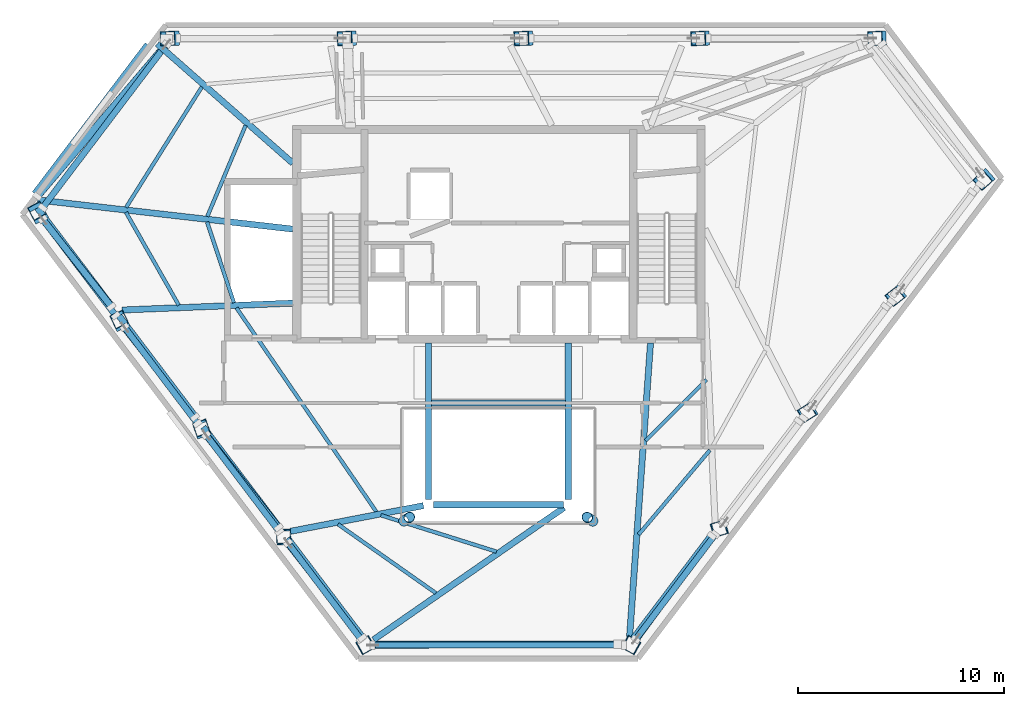
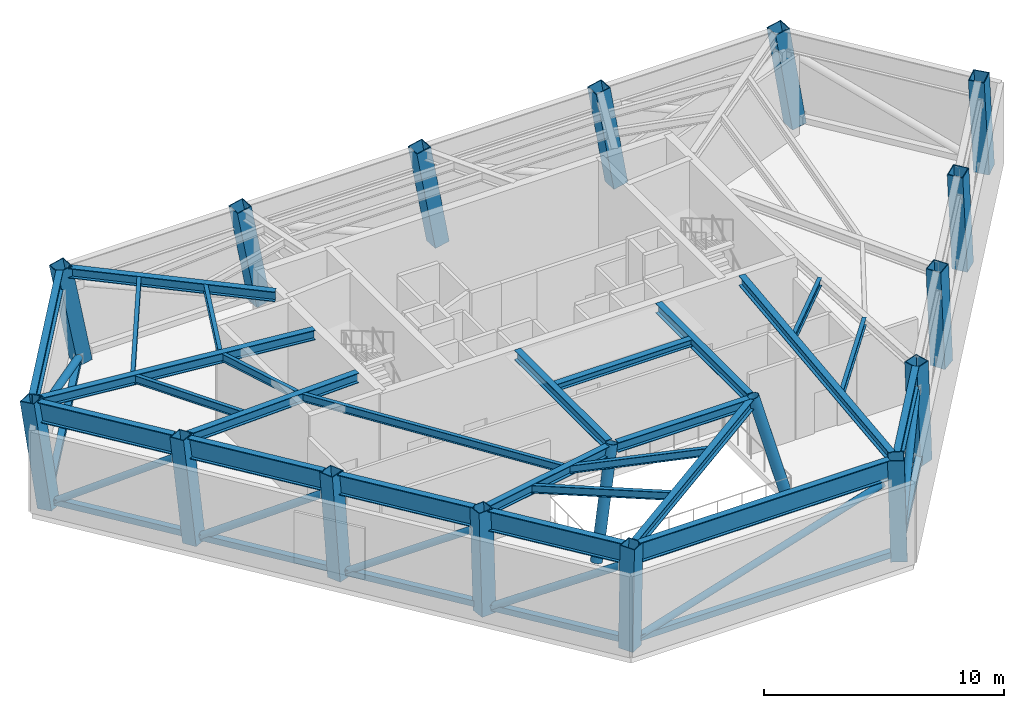
# One storey, part 1 of 10: 26 beams, 17 columns, 14 members.
"""IFC4 building model written with IfcOpenShell, lengths in metres."""

import ifcopenshell
import ifcopenshell.guid

model = None  # the IFC model being written
_history = None  # IfcOwnerHistory: only IFC2X3 demands one
_inside = {}  # id of a spatial element -> (the spatial element, [elements in it])
_under = {}  # id of a project, library or spatial element -> (it, [spatial elements below it])
_declared = {}  # id of a project -> (the project, [libraries it declares])
_typed = {}  # id of a type object -> (the type object, [elements of that type])
_made_of = {}  # id of a material, layer set ... -> (it, [elements and type objects made of it])


def new_model(schema):
    """Start an empty IFC model of exactly this schema.

    Asked for "IFC4X3", IfcOpenShell would pick the latest addendum, in which some entities
    have other attributes; the version numbers below select the first issue.
    IFC2X3 requires an IfcOwnerHistory on every rooted entity: one is made here for all.
    """
    global model, _history
    if schema == "IFC4X3":
        model = ifcopenshell.file(schema_version=(4, 3, 0, 0))
    else:
        model = ifcopenshell.file(schema=schema)
    _inside.clear()
    _under.clear()
    _declared.clear()
    _typed.clear()
    _made_of.clear()
    _history = None
    if model.schema == "IFC2X3":
        org = make("IfcOrganization", Name="unknown")
        user = make(
            "IfcPersonAndOrganization",
            ThePerson=make("IfcPerson", FamilyName="unknown"),
            TheOrganization=org,
        )
        app = make(
            "IfcApplication",
            ApplicationDeveloper=org,
            Version="unknown",
            ApplicationFullName="unknown",
            ApplicationIdentifier="unknown",
        )
        _history = make(
            "IfcOwnerHistory",
            OwningUser=user,
            OwningApplication=app,
            ChangeAction="ADDED",
            CreationDate=0,
        )
    return model


def make(cls, **values):
    """One entity of the class cls with the attributes given. An attribute that is None is left unset."""
    return model.create_entity(
        cls, **{name: value for name, value in values.items() if value is not None}
    )


def rooted(cls, **values):
    """An entity with a GlobalId (a new one), such as an element, a storey or a relation."""
    return make(cls, GlobalId=ifcopenshell.guid.new(), OwnerHistory=_history, **values)


def si_unit(unit_type, name, prefix=None):
    """IfcSIUnit, for example si_unit("LENGTHUNIT", "METRE", prefix="MILLI")."""
    return make("IfcSIUnit", UnitType=unit_type, Prefix=prefix, Name=name)


def assignment(units):
    """IfcUnitAssignment: the units of a project."""
    return None if units is None else make("IfcUnitAssignment", Units=units)


def point(xyz):
    """IfcCartesianPoint."""
    return None if xyz is None else make("IfcCartesianPoint", Coordinates=xyz)


def direction(xyz):
    """IfcDirection."""
    return None if xyz is None else make("IfcDirection", DirectionRatios=xyz)


def frame(location, z_axis=None, x_axis=None):
    """IfcAxis2Placement3D, a coordinate frame: its origin and axes. An axis left out is left unset."""
    return make(
        "IfcAxis2Placement3D",
        Location=point(location),
        Axis=direction(z_axis),
        RefDirection=direction(x_axis),
    )


def frame_2d(location, x_axis=None):
    """IfcAxis2Placement2D, a coordinate frame in the plane: its origin and x axis."""
    return make(
        "IfcAxis2Placement2D", Location=point(location), RefDirection=direction(x_axis)
    )


def origin():
    """The frame at (0, 0, 0) with its axes left unset."""
    return frame((0.0, 0.0, 0.0))


def origin_2d():
    """The frame at (0, 0) in the plane with its x axis left unset."""
    return frame_2d((0.0, 0.0))


def place(relative_to, where):
    """IfcLocalPlacement: puts the frame where relative to a parent placement (None: the world)."""
    return make(
        "IfcLocalPlacement", PlacementRelTo=relative_to, RelativePlacement=where
    )


def context(
    kind, dimensions, precision=None, world=None, true_north=None, identifier=None
):
    """IfcGeometricRepresentationContext, for example the 3D "Model" context."""
    return make(
        "IfcGeometricRepresentationContext",
        ContextIdentifier=identifier,
        ContextType=kind,
        CoordinateSpaceDimension=dimensions,
        Precision=precision,
        WorldCoordinateSystem=world,
        TrueNorth=true_north,
    )


def subcontext(parent, identifier, kind, view, scale=None):
    """IfcGeometricRepresentationSubContext, for example "Body" below "Model"."""
    return make(
        "IfcGeometricRepresentationSubContext",
        ContextIdentifier=identifier,
        ContextType=kind,
        ParentContext=parent,
        TargetScale=scale,
        TargetView=view,
    )


def project(units=None, contexts=None):
    """IfcProject with its units and contexts."""
    return rooted(
        "IfcProject",
        Name="project",
        RepresentationContexts=contexts,
        UnitsInContext=assignment(units),
    )


def spatial(cls, under=None, at=None, **own):
    """A site, building, storey or space (cls), placed at a placement, below another one or the project."""
    s = rooted(cls, ObjectPlacement=at, **own)
    if under is not None:
        _under.setdefault(under.id(), (under, []))[1].append(s)
    return s


def profile(cls, at=None, kind="AREA", **sizes):
    """A parametric profile (cls). Its sizes go by their IFC names, for example OverallWidth=200.0."""
    return make(cls, ProfileType=kind, Position=at, **sizes)


def hollow_rectangle(**sizes):
    """IfcRectangleHollowProfileDef."""
    return profile("IfcRectangleHollowProfileDef", **sizes)


def hollow_circle(**sizes):
    """IfcCircleHollowProfileDef."""
    return profile("IfcCircleHollowProfileDef", **sizes)


def i_section(**sizes):
    """IfcIShapeProfileDef."""
    return profile("IfcIShapeProfileDef", **sizes)


def extrude(swept, where, along, depth):
    """IfcExtrudedAreaSolid: the profile swept, set in the frame where, extruded along a direction by depth."""
    return make(
        "IfcExtrudedAreaSolid",
        SweptArea=swept,
        Position=where,
        ExtrudedDirection=direction(along),
        Depth=depth,
    )


def shape(context_of_items, identifier, shape_type, items):
    """IfcShapeRepresentation: the items that make up one representation, for example the "Body"."""
    return make(
        "IfcShapeRepresentation",
        ContextOfItems=context_of_items,
        RepresentationIdentifier=identifier,
        RepresentationType=shape_type,
        Items=items,
    )


def material(Name=None, Category=None):
    """IfcMaterial."""
    return make("IfcMaterial", Name=Name, Category=Category)


def material_profile(
    of_material, cross_section, Name=None, Category=None, Priority=None
):
    """IfcMaterialProfile: a cross section and its material."""
    return make(
        "IfcMaterialProfile",
        Name=Name,
        Material=of_material,
        Profile=cross_section,
        Priority=Priority,
        Category=Category,
    )


def profile_set(profiles, Name=None, composite=None):
    """IfcMaterialProfileSet."""
    return make(
        "IfcMaterialProfileSet",
        Name=Name,
        MaterialProfiles=profiles,
        CompositeProfile=composite,
    )


def made_of(thing, what):
    """Note that an element or type object is made of a material, layer set ...; save() writes the relation."""
    if what is not None:
        _made_of.setdefault(what.id(), (what, []))[1].append(thing)
    return thing


def type_object(cls, material=None, **own):
    """A type object (cls), such as IfcWallType, which elements share."""
    return made_of(rooted(cls, **own), material)


def element(
    cls,
    number,
    at=None,
    inside=None,
    cuts=None,
    type_object=None,
    material=None,
    context=None,
    identifier="Body",
    shape_type=None,
    held_by="IfcProductDefinitionShape",
    body=None,
    shapes=None,
    **own,
):
    """One element of the class cls, such as IfcWall. Its Tag is "e" and its number.

    at: its placement. inside: the storey or other place that contains it. cuts: it is an
    opening in that element (IfcRelVoidsElement). A single representation is given by context,
    identifier, shape_type and body (its items); several are given by shapes. held_by: the class
    of the entity that holds the representations. save() writes the other relations.
    """
    e = rooted(cls, Tag="e%d" % number, ObjectPlacement=at, **own)
    if body is not None:
        shapes = [shape(context, identifier, shape_type, body)]
    if shapes is not None:
        e.Representation = make(held_by, Representations=shapes)
    if inside is not None:
        _inside.setdefault(inside.id(), (inside, []))[1].append(e)
    if cuts is not None:
        rooted(
            "IfcRelVoidsElement", RelatingBuildingElement=cuts, RelatedOpeningElement=e
        )
    if type_object is not None:
        _typed.setdefault(type_object.id(), (type_object, []))[1].append(e)
    return made_of(e, material)


def aggregate(whole, parts):
    """IfcRelAggregates: a whole, such as a stair, and the parts it consists of."""
    return rooted("IfcRelAggregates", RelatingObject=whole, RelatedObjects=parts)


def save(model, path):
    """Write the relations noted so far, then the file.

    IfcRelAggregates (storeys below a building ...), IfcRelContainedInSpatialStructure (elements
    in a storey), IfcRelDefinesByType, IfcRelAssociatesMaterial and IfcRelDeclares: one each for
    every whole, place, type object, material and project.
    """
    for whole, parts in _under.values():
        aggregate(whole, parts)
    for where, things in _inside.values():
        rooted(
            "IfcRelContainedInSpatialStructure",
            RelatedElements=things,
            RelatingStructure=where,
        )
    for kind, things in _typed.values():
        rooted("IfcRelDefinesByType", RelatedObjects=things, RelatingType=kind)
    for what, things in _made_of.values():
        rooted("IfcRelAssociatesMaterial", RelatedObjects=things, RelatingMaterial=what)
    for by, libraries in _declared.values():
        rooted("IfcRelDeclares", RelatingContext=by, RelatedDefinitions=libraries)
    model.write(path)


model = new_model("IFC4")

# Units and contexts
model_context = context("Model", 3, precision=1e-05, world=origin(), true_north=direction((0.0, 1.0)))
body_context = subcontext(model_context, "Body", "Model", "MODEL_VIEW")
ifc_project = project(units=[si_unit("LENGTHUNIT", "METRE"), si_unit("AREAUNIT", "SQUARE_METRE"), si_unit("VOLUMEUNIT", "CUBIC_METRE"), si_unit("PLANEANGLEUNIT", "RADIAN"), si_unit("MASSUNIT", "GRAM", prefix="KILO")], contexts=[model_context])

# Site, building, storey
site_placement = place(None, origin())
site = spatial("IfcSite", under=ifc_project, at=site_placement, CompositionType="ELEMENT")
building_placement = place(site_placement, origin())
building = spatial("IfcBuilding", under=site, at=building_placement, Name="Zarrinselat Tower", CompositionType="ELEMENT")
storey_placement = place(building_placement, frame((0.0, 0.0, 194.47998046875)))
storey = spatial("IfcBuildingStorey", under=building, at=storey_placement, Name="L48", CompositionType="ELEMENT", Elevation=194.47998046875)

# Columns
ifc_material_1 = material(Name="Steel S355J2", Category="steel")
ifc_material_profile_1 = material_profile(ifc_material_1, hollow_circle(Radius=0.25390625, WallThickness=0.02001953125, at=origin_2d()), Name="CHS 508x20")
ifc_profile_set_1 = profile_set([ifc_material_profile_1], Name="Steel S355J2")
column_type_1 = type_object("IfcColumnType", Name="COL-CHS508", PredefinedType="COLUMN", material=ifc_profile_set_1)
for number, where, z_axis, x_axis, name in (
    (1, (33.800048828125, 24.39990234375, 0.0), (0.224767637552, 0.149860335352, 0.962819499697), (-0.554739260842, 0.832024249935, 0.0), "L48 Atrium Corner Column 1"),
    (2, (43.0, 24.39990234375, 0.0), (-0.224767637552, 0.149860335352, 0.962819499697), (-0.554739260842, -0.832024249935, 0.0), "L48 Atrium Corner Column 2"),
):
    element("IfcColumn", number, at=place(storey_placement, frame(where, z_axis=z_axis, x_axis=x_axis)), inside=storey, type_object=column_type_1, Name=name, PredefinedType="COLUMN", context=body_context, shape_type="SweptSolid", body=[
        extrude(hollow_circle(Radius=0.25390625, WallThickness=0.02001953125, at=origin_2d()), origin(), (0.0, 0.0, 1.0), 5.338623046875),
    ])
ifc_material_2 = material(Name="Steel S355J2", Category="steel")
ifc_material_profile_2 = material_profile(ifc_material_2, hollow_rectangle(XDim=0.699951171875, YDim=0.699951171875, WallThickness=0.034912109375, at=origin_2d()), Name="SHS 700x700x35")
ifc_profile_set_2 = profile_set([ifc_material_profile_2], Name="Steel S355J2")
column_type_2 = type_object("IfcColumnType", Name="COL-SHS700", PredefinedType="COLUMN", material=ifc_profile_set_2)
column_1_placement = place(storey_placement, frame((56.90771484375, 47.8779296875, 0.0), z_axis=(-0.159054048165, -0.007455658508, 0.987241724665), x_axis=(0.046823586299, -0.99890317437, 0.0)))
element("IfcColumn", 3, at=column_1_placement, inside=storey, type_object=column_type_2, Name="L48 Framed-Tube Column T01", PredefinedType="COLUMN", context=body_context, shape_type="SweptSolid", body=[
    extrude(hollow_rectangle(XDim=0.699951171875, YDim=0.699951171875, WallThickness=0.034912109375, at=origin_2d()), origin(), (0.0, 0.0, 1.0), 5.20654296875),
])
column_2_placement = place(storey_placement, frame((48.318603515625, 47.8779296875, 0.0), z_axis=(-0.166990951715, -0.007445754718, 0.98593031335), x_axis=(0.044543517595, -0.999007444937, 0.0)))
element("IfcColumn", 4, at=column_2_placement, inside=storey, type_object=column_type_2, Name="L48 Framed-Tube Column T02", PredefinedType="COLUMN", context=body_context, shape_type="SweptSolid", body=[
    extrude(hollow_rectangle(XDim=0.699951171875, YDim=0.699951171875, WallThickness=0.034912109375, at=origin_2d()), origin(), (0.0, 0.0, 1.0), 5.21337890625),
])
column_3_placement = place(storey_placement, frame((39.729248046875, 47.8779296875, 0.0), z_axis=(-0.174895524245, -0.007435397956, 0.98455892178), x_axis=(0.042475001939, -0.999097529879, 0.0)))
element("IfcColumn", 5, at=column_3_placement, inside=storey, type_object=column_type_2, Name="L48 Framed-Tube Column T03", PredefinedType="COLUMN", context=body_context, shape_type="SweptSolid", body=[
    extrude(hollow_rectangle(XDim=0.699951171875, YDim=0.699951171875, WallThickness=0.034912109375, at=origin_2d()), origin(), (0.0, 0.0, 1.0), 5.220703125),
])
column_4_placement = place(storey_placement, frame((31.139892578125, 47.8779296875, 0.0), z_axis=(-0.182721286998, -0.007424657458, 0.983136717725), x_axis=(0.040600280991, -0.999175468666, 0.0)))
element("IfcColumn", 6, at=column_4_placement, inside=storey, type_object=column_type_2, Name="L48 Framed-Tube Column T04", PredefinedType="COLUMN", context=body_context, shape_type="SweptSolid", body=[
    extrude(hollow_rectangle(XDim=0.699951171875, YDim=0.699951171875, WallThickness=0.034912109375, at=origin_2d()), origin(), (0.0, 0.0, 1.0), 5.228271484375),
])
column_5_placement = place(storey_placement, frame((22.550537109375, 47.8779296875, 0.0), z_axis=(-0.190512473243, -0.007413480971, 0.981656782098), x_axis=(0.038883933844, -0.999243733875, 0.0)))
element("IfcColumn", 7, at=column_5_placement, inside=storey, type_object=column_type_2, Name="L48 Framed-Tube Column T05", PredefinedType="COLUMN", context=body_context, shape_type="SweptSolid", body=[
    extrude(hollow_rectangle(XDim=0.699951171875, YDim=0.699951171875, WallThickness=0.034912109375, at=origin_2d()), origin(), (0.0, 0.0, 1.0), 5.236083984375),
])
column_6_placement = place(storey_placement, frame((16.059814453125, 39.31005859375, 0.0), z_axis=(-0.077088391313, 0.143539053247, 0.986637684319), x_axis=(-0.880987768802, -0.473139040052, 0.0)))
element("IfcColumn", 8, at=column_6_placement, inside=storey, type_object=column_type_2, Name="L48 Framed-Tube Column T06", PredefinedType="COLUMN", context=body_context, shape_type="SweptSolid", body=[
    extrude(hollow_rectangle(XDim=0.699951171875, YDim=0.699951171875, WallThickness=0.034912109375, at=origin_2d()), origin(), (0.0, 0.0, 1.0), 5.209716796875),
])
column_7_placement = place(storey_placement, frame((20.026611328125, 34.073974609375, 0.0), z_axis=(-0.052602615621, 0.111427045992, 0.992379452756), x_axis=(-0.904297874715, -0.426902042378, 0.0)))
element("IfcColumn", 9, at=column_7_placement, inside=storey, type_object=column_type_2, Name="L48 Framed-Tube Column T07", PredefinedType="COLUMN", context=body_context, shape_type="SweptSolid", body=[
    extrude(hollow_rectangle(XDim=0.699951171875, YDim=0.699951171875, WallThickness=0.034912109375, at=origin_2d()), origin(), (0.0, 0.0, 1.0), 5.1796875),
])
column_8_placement = place(storey_placement, frame((23.9931640625, 28.837890625, 0.0), z_axis=(-0.027688593271, 0.078805996232, 0.996505372168), x_axis=(-0.943460139651, -0.331485995013, 0.0)))
element("IfcColumn", 10, at=column_8_placement, inside=storey, type_object=column_type_2, Name="L48 Framed-Tube Column T08", PredefinedType="COLUMN", context=body_context, shape_type="SweptSolid", body=[
    extrude(hollow_rectangle(XDim=0.699951171875, YDim=0.699951171875, WallThickness=0.034912109375, at=origin_2d()), origin(), (0.0, 0.0, 1.0), 5.158203125),
])
column_9_placement = place(storey_placement, frame((27.9599609375, 23.601806640625, 0.0), z_axis=(-0.00265702824, 0.045786290203, 0.998947724273), x_axis=(-0.9983204373, -0.057933621232, 0.0)))
element("IfcColumn", 11, at=column_9_placement, inside=storey, type_object=column_type_2, Name="L48 Framed-Tube Column T09", PredefinedType="COLUMN", context=body_context, shape_type="SweptSolid", body=[
    extrude(hollow_rectangle(XDim=0.699951171875, YDim=0.699951171875, WallThickness=0.034912109375, at=origin_2d()), origin(), (0.0, 0.0, 1.0), 5.1455078125),
])
for number, where, z_axis, x_axis, name in (
    (12, (31.9267578125, 18.36572265625, 0.0), (0.022506037937, 0.012629970657, 0.99966692558), (-0.489387496628, 0.872066441359, 0.0), "L48 Framed-Tube Column T10"),
    (13, (44.873291015625, 18.36572265625, 0.0), (-0.022506037937, 0.012629970657, 0.99966692558), (-0.489387496628, -0.872066441359, 0.0), "L48 Framed-Tube Column T11"),
):
    element("IfcColumn", number, at=place(storey_placement, frame(where, z_axis=z_axis, x_axis=x_axis)), inside=storey, type_object=column_type_2, Name=name, PredefinedType="COLUMN", context=body_context, shape_type="SweptSolid", body=[
        extrude(hollow_rectangle(XDim=0.699951171875, YDim=0.699951171875, WallThickness=0.034912109375, at=origin_2d()), origin(), (0.0, 0.0, 1.0), 5.141845703125),
    ])
column_10_placement = place(storey_placement, frame((49.17236328125, 24.040283203125, 0.0), z_axis=(-0.041710074727, -0.012717064877, 0.999048820592), x_axis=(0.291637903026, -0.956528793879, 0.0)))
element("IfcColumn", 14, at=column_10_placement, inside=storey, type_object=column_type_2, Name="L48 Framed-Tube Column T12", PredefinedType="COLUMN", context=body_context, shape_type="SweptSolid", body=[
    extrude(hollow_rectangle(XDim=0.699951171875, YDim=0.699951171875, WallThickness=0.034912109375, at=origin_2d()), origin(), (0.0, 0.0, 1.0), 5.14501953125),
])
column_11_placement = place(storey_placement, frame((53.47119140625, 29.715087890625, 0.0), z_axis=(-0.060828875913, -0.038041734702, 0.997423016717), x_axis=(0.530236337379, -0.847849884427, 0.0)))
element("IfcColumn", 15, at=column_11_placement, inside=storey, type_object=column_type_2, Name="L48 Framed-Tube Column T13", PredefinedType="COLUMN", context=body_context, shape_type="SweptSolid", body=[
    extrude(hollow_rectangle(XDim=0.699951171875, YDim=0.699951171875, WallThickness=0.034912109375, at=origin_2d()), origin(), (0.0, 0.0, 1.0), 5.1533203125),
])
column_12_placement = place(storey_placement, frame((57.770263671875, 35.389892578125, 0.0), z_axis=(-0.079805420227, -0.063220634851, 0.994803621943), x_axis=(0.620952540873, -0.783848162582, 0.0)))
element("IfcColumn", 16, at=column_12_placement, inside=storey, type_object=column_type_2, Name="L48 Framed-Tube Column T14", PredefinedType="COLUMN", context=body_context, shape_type="SweptSolid", body=[
    extrude(hollow_rectangle(XDim=0.699951171875, YDim=0.699951171875, WallThickness=0.034912109375, at=origin_2d()), origin(), (0.0, 0.0, 1.0), 5.1669921875),
])
column_13_placement = place(storey_placement, frame((62.0693359375, 41.064453125, 0.0), z_axis=(-0.098585108306, -0.088133391953, 0.991218180646), x_axis=(0.666482592641, -0.745520592409, 0.0)))
element("IfcColumn", 17, at=column_13_placement, inside=storey, type_object=column_type_2, Name="L48 Framed-Tube Column T15", PredefinedType="COLUMN", context=body_context, shape_type="SweptSolid", body=[
    extrude(hollow_rectangle(XDim=0.699951171875, YDim=0.699951171875, WallThickness=0.034912109375, at=origin_2d()), origin(), (0.0, 0.0, 1.0), 5.185791015625),
])

# Beams
ifc_material_3 = material(Name="Steel S355J2", Category="steel")
ifc_material_profile_3 = material_profile(ifc_material_3, i_section(OverallWidth=0.300048828125, OverallDepth=0.35009765625, WebThickness=0.010009765625, FlangeThickness=0.017578125, at=origin_2d()), Name="HEA 360")
ifc_profile_set_3 = profile_set([ifc_material_profile_3], Name="Steel S355J2")
beam_type_1 = type_object("IfcBeamType", Name="BM-HEA360", PredefinedType="LINTEL", material=ifc_profile_set_3)
beam_1_placement = place(storey_placement, frame((35.139892578125, 30.14990234375, 4.965087890625), z_axis=(1.0, 0.0, 0.0), x_axis=(0.0, 1.0, 0.0)))
element("IfcBeam", 18, at=beam_1_placement, inside=storey, type_object=beam_type_1, Name="L48 Lift Lobby Ceiling Beam", PredefinedType="LINTEL", context=body_context, shape_type="SweptSolid", body=[
    extrude(i_section(OverallWidth=0.300048828125, OverallDepth=0.35009765625, WebThickness=0.010009765625, FlangeThickness=0.017578125, at=origin_2d()), origin(), (0.0, 0.0, 1.0), 6.52001953125),
])
ifc_material_4 = material(Name="Steel S355J2", Category="steel")
ifc_material_profile_4 = material_profile(ifc_material_4, i_section(OverallWidth=0.300048828125, OverallDepth=0.5, WebThickness=0.014404296875, FlangeThickness=0.028076171875, at=origin_2d()), Name="HEB 500")
ifc_profile_set_4 = profile_set([ifc_material_profile_4], Name="Steel S355J2")
beam_type_2 = type_object("IfcBeamType", Name="BM-HEB500", PredefinedType="BEAM", material=ifc_profile_set_4)
beam_2_placement = place(storey_placement, frame((35.239990234375, 25.199951171875, 4.89013671875), z_axis=(1.0, 0.0, 0.0), x_axis=(0.0, 1.0, 0.0)))
element("IfcBeam", 19, at=beam_2_placement, inside=storey, type_object=beam_type_2, Name="L48 Atrium Edge Beam S", PredefinedType="BEAM", context=body_context, shape_type="SweptSolid", body=[
    extrude(i_section(OverallWidth=0.300048828125, OverallDepth=0.5, WebThickness=0.014404296875, FlangeThickness=0.028076171875, at=origin_2d()), origin(), (0.0, 0.0, 1.0), 6.320068359375),
])
for number, where, z_axis, x_axis, name in (
    (20, (35.0, 25.43994140625, 4.89013671875), (0.0, 1.0, 0.0), (-1.0, 0.0, 0.0), "L48 Atrium Edge Beam W"),
    (21, (41.800048828125, 25.43994140625, 4.89013671875), (0.0, 1.0, 0.0), (-1.0, 0.0, 0.0), "L48 Atrium Edge Beam E"),
):
    element("IfcBeam", number, at=place(storey_placement, frame(where, z_axis=z_axis, x_axis=x_axis)), inside=storey, type_object=beam_type_2, Name=name, PredefinedType="BEAM", context=body_context, shape_type="SweptSolid", body=[
        extrude(i_section(OverallWidth=0.300048828125, OverallDepth=0.5, WebThickness=0.014404296875, FlangeThickness=0.028076171875, at=origin_2d()), origin(), (0.0, 0.0, 1.0), 7.6201171875),
    ])
beam_3_placement = place(storey_placement, frame((21.817138671875, 47.6064453125, 4.89013671875), z_axis=(0.750444975601, -0.660932930482, 0.0), x_axis=(0.660932930482, 0.750444975601, 0.0)))
element("IfcBeam", 22, at=beam_3_placement, inside=storey, type_object=beam_type_2, Name="L48 Radial Primary Girder RG05", PredefinedType="BEAM", context=body_context, shape_type="SweptSolid", body=[
    extrude(i_section(OverallWidth=0.300048828125, OverallDepth=0.5, WebThickness=0.014404296875, FlangeThickness=0.028076171875, at=origin_2d()), origin(), (0.0, 0.0, 1.0), 8.78515625),
])
beam_4_placement = place(storey_placement, frame((16.0078125, 40.017822265625, 4.89013671875), z_axis=(0.993529583346, -0.113573619372, 0.0), x_axis=(0.113573619372, 0.993529583346, 0.0)))
element("IfcBeam", 23, at=beam_4_placement, inside=storey, type_object=beam_type_2, Name="L48 Radial Primary Girder RG06", PredefinedType="BEAM", context=body_context, shape_type="SweptSolid", body=[
    extrude(i_section(OverallWidth=0.300048828125, OverallDepth=0.5, WebThickness=0.014404296875, FlangeThickness=0.028076171875, at=origin_2d()), origin(), (0.0, 0.0, 1.0), 12.48291015625),
])
beam_5_placement = place(storey_placement, frame((20.10595703125, 34.665283203125, 4.89013671875), z_axis=(0.999188616417, 0.04027541214, 0.0), x_axis=(-0.04027541214, 0.999188616417, 0.0)))
element("IfcBeam", 24, at=beam_5_placement, inside=storey, type_object=beam_type_2, Name="L48 Radial Primary Girder RG07", PredefinedType="BEAM", context=body_context, shape_type="SweptSolid", body=[
    extrude(i_section(OverallWidth=0.300048828125, OverallDepth=0.5, WebThickness=0.014404296875, FlangeThickness=0.028076171875, at=origin_2d()), origin(), (0.0, 0.0, 1.0), 8.310791015625),
])
beam_6_placement = place(storey_placement, frame((28.2919921875, 23.904296875, 4.89013671875), z_axis=(0.981850545606, 0.189656284083, 0.0), x_axis=(-0.189656284083, 0.981850545606, 0.0)))
element("IfcBeam", 25, at=beam_6_placement, inside=storey, type_object=beam_type_2, Name="L48 Radial Primary Girder RG09", PredefinedType="BEAM", context=body_context, shape_type="SweptSolid", body=[
    extrude(i_section(OverallWidth=0.300048828125, OverallDepth=0.5, WebThickness=0.014404296875, FlangeThickness=0.028076171875, at=origin_2d()), origin(), (0.0, 0.0, 1.0), 6.581787109375),
])
beam_7_placement = place(storey_placement, frame((32.33154296875, 18.63134765625, 4.89013671875), z_axis=(0.821632822417, 0.570017109503, 0.0), x_axis=(-0.570017109503, 0.821632822417, 0.0)))
element("IfcBeam", 26, at=beam_7_placement, inside=storey, type_object=beam_type_2, Name="L48 Radial Primary Girder RG10", PredefinedType="BEAM", context=body_context, shape_type="SweptSolid", body=[
    extrude(i_section(OverallWidth=0.300048828125, OverallDepth=0.5, WebThickness=0.014404296875, FlangeThickness=0.028076171875, at=origin_2d()), origin(), (0.0, 0.0, 1.0), 11.27392578125),
])
beam_8_placement = place(storey_placement, frame((44.78271484375, 18.78173828125, 4.89013671875), z_axis=(0.071070087682, 0.997471324218, 0.0), x_axis=(-0.997471324218, 0.071070087682, 0.0)))
element("IfcBeam", 27, at=beam_8_placement, inside=storey, type_object=beam_type_2, Name="L48 Radial Primary Girder RG11", PredefinedType="BEAM", context=body_context, shape_type="SweptSolid", body=[
    extrude(i_section(OverallWidth=0.300048828125, OverallDepth=0.5, WebThickness=0.014404296875, FlangeThickness=0.028076171875, at=origin_2d()), origin(), (0.0, 0.0, 1.0), 14.314453125),
])
ifc_material_5 = material(Name="Steel S460M", Category="steel")
ifc_material_profile_5 = material_profile(ifc_material_5, i_section(OverallWidth=0.302001953125, OverallDepth=1.008056640625, WebThickness=0.02099609375, FlangeThickness=0.0400390625, at=origin_2d()), Name="HEM 1000")
ifc_profile_set_5 = profile_set([ifc_material_profile_5], Name="Steel S460M")
beam_type_3 = type_object("IfcBeamType", Name="BM-HEM1000", PredefinedType="BEAM", material=ifc_profile_set_5)
beam_9_placement = place(storey_placement, frame((15.8623046875, 40.327392578125, 4.635986328125), z_axis=(0.603862344088, 0.79708862079, 0.0), x_axis=(-0.79708862079, 0.603862344088, 0.0)))
element("IfcBeam", 28, at=beam_9_placement, inside=storey, type_object=beam_type_3, Name="L48 Perimeter Spandrel Girder SP05", PredefinedType="BEAM", context=body_context, shape_type="SweptSolid", body=[
    extrude(i_section(OverallWidth=0.302001953125, OverallDepth=1.008056640625, WebThickness=0.02099609375, FlangeThickness=0.0400390625, at=origin_2d()), origin(), (0.0, 0.0, 1.0), 9.085693359375),
])
for number, where, z_axis, x_axis, name in (
    (29, (15.8623046875, 39.78857421875, 4.635986328125), (0.603830749631, -0.797112555289, 0.0), (0.797112555289, 0.603830749631, 0.0), "L48 Perimeter Spandrel Girder SP06"),
    (30, (19.958251953125, 34.381591796875, 4.635986328125), (0.60387539011, -0.797078737152, 0.0), (0.797078737152, 0.60387539011, 0.0), "L48 Perimeter Spandrel Girder SP07"),
):
    element("IfcBeam", number, at=place(storey_placement, frame(where, z_axis=z_axis, x_axis=x_axis)), inside=storey, type_object=beam_type_3, Name=name, PredefinedType="BEAM", context=body_context, shape_type="SweptSolid", body=[
        extrude(i_section(OverallWidth=0.302001953125, OverallDepth=1.008056640625, WebThickness=0.02099609375, FlangeThickness=0.0400390625, at=origin_2d()), origin(), (0.0, 0.0, 1.0), 6.107177734375),
    ])
beam_10_placement = place(storey_placement, frame((24.054443359375, 28.974853515625, 4.635986328125), z_axis=(0.603849991145, -0.797097979043, 0.0), x_axis=(0.797097979043, 0.603849991145, 0.0)))
element("IfcBeam", 31, at=beam_10_placement, inside=storey, type_object=beam_type_3, Name="L48 Perimeter Spandrel Girder SP08", PredefinedType="BEAM", context=body_context, shape_type="SweptSolid", body=[
    extrude(i_section(OverallWidth=0.302001953125, OverallDepth=1.008056640625, WebThickness=0.02099609375, FlangeThickness=0.0400390625, at=origin_2d()), origin(), (0.0, 0.0, 1.0), 6.10693359375),
])
beam_11_placement = place(storey_placement, frame((28.150390625, 23.568115234375, 4.635986328125), z_axis=(0.60387539011, -0.797078737152, 0.0), x_axis=(0.797078737152, 0.60387539011, 0.0)))
element("IfcBeam", 32, at=beam_11_placement, inside=storey, type_object=beam_type_3, Name="L48 Perimeter Spandrel Girder SP09", PredefinedType="BEAM", context=body_context, shape_type="SweptSolid", body=[
    extrude(i_section(OverallWidth=0.302001953125, OverallDepth=1.008056640625, WebThickness=0.02099609375, FlangeThickness=0.0400390625, at=origin_2d()), origin(), (0.0, 0.0, 1.0), 6.107177734375),
])
beam_12_placement = place(storey_placement, frame((32.38037109375, 18.4306640625, 4.635986328125), z_axis=(1.0, 0.0, 0.0), x_axis=(0.0, 1.0, 0.0)))
element("IfcBeam", 33, at=beam_12_placement, inside=storey, type_object=beam_type_3, Name="L48 Perimeter Spandrel Girder SP10", PredefinedType="BEAM", context=body_context, shape_type="SweptSolid", body=[
    extrude(i_section(OverallWidth=0.302001953125, OverallDepth=1.008056640625, WebThickness=0.02099609375, FlangeThickness=0.0400390625, at=origin_2d()), origin(), (0.0, 0.0, 1.0), 12.039306640625),
])
beam_13_placement = place(storey_placement, frame((44.961669921875, 18.7001953125, 4.635986328125), z_axis=(0.603862179211, 0.797088745698, 0.0), x_axis=(-0.797088745698, 0.603862179211, 0.0)))
element("IfcBeam", 34, at=beam_13_placement, inside=storey, type_object=beam_type_3, Name="L48 Perimeter Spandrel Girder SP11", PredefinedType="BEAM", context=body_context, shape_type="SweptSolid", body=[
    extrude(i_section(OverallWidth=0.302001953125, OverallDepth=1.008056640625, WebThickness=0.02099609375, FlangeThickness=0.0400390625, at=origin_2d()), origin(), (0.0, 0.0, 1.0), 6.279541015625),
])
ifc_material_6 = material(Name="Steel S355J2", Category="steel")
ifc_material_profile_6 = material_profile(ifc_material_6, i_section(OverallWidth=0.179931640625, OverallDepth=0.39990234375, WebThickness=0.008544921875, FlangeThickness=0.013427734375, at=origin_2d()), Name="IPE 400")
ifc_profile_set_6 = profile_set([ifc_material_profile_6], Name="Steel S355J2")
beam_type_4 = type_object("IfcBeamType", Name="BM-IPE400", PredefinedType="JOIST", material=ifc_profile_set_6)
beam_14_placement = place(storey_placement, frame((30.603759765625, 24.248291015625, 4.93994140625), z_axis=(0.817803496327, -0.575497559851, 0.0), x_axis=(0.575497559851, 0.817803496327, 0.0)))
element("IfcBeam", 35, at=beam_14_placement, inside=storey, type_object=beam_type_4, Name="L48 Composite Floor Joist 1-1", PredefinedType="JOIST", context=body_context, shape_type="SweptSolid", body=[
    extrude(i_section(OverallWidth=0.179931640625, OverallDepth=0.39990234375, WebThickness=0.008544921875, FlangeThickness=0.013427734375, at=origin_2d()), origin(), (0.0, 0.0, 1.0), 5.82373046875),
])
beam_15_placement = place(storey_placement, frame((32.69091796875, 24.68603515625, 4.93994140625), z_axis=(0.953765934196, -0.300550399713, 0.0), x_axis=(0.300550399713, 0.953765934196, 0.0)))
element("IfcBeam", 36, at=beam_15_placement, inside=storey, type_object=beam_type_4, Name="L48 Composite Floor Joist 1-2", PredefinedType="JOIST", context=body_context, shape_type="SweptSolid", body=[
    extrude(i_section(OverallWidth=0.179931640625, OverallDepth=0.39990234375, WebThickness=0.008544921875, FlangeThickness=0.013427734375, at=origin_2d()), origin(), (0.0, 0.0, 1.0), 5.893310546875),
])
beam_16_placement = place(storey_placement, frame((45.21875, 23.743408203125, 4.93994140625), z_axis=(0.645061725265, 0.764130467, 0.0), x_axis=(-0.764130467, 0.645061725265, 0.0)))
element("IfcBeam", 37, at=beam_16_placement, inside=storey, type_object=beam_type_4, Name="L48 Composite Floor Joist 3-1", PredefinedType="JOIST", context=body_context, shape_type="SweptSolid", body=[
    extrude(i_section(OverallWidth=0.179931640625, OverallDepth=0.39990234375, WebThickness=0.008544921875, FlangeThickness=0.013427734375, at=origin_2d()), origin(), (0.0, 0.0, 1.0), 5.3720703125),
])
beam_17_placement = place(storey_placement, frame((45.552978515625, 28.304443359375, 4.93994140625), z_axis=(0.706844852087, 0.707368613298, 0.0), x_axis=(-0.707368613298, 0.706844852087, 0.0)))
element("IfcBeam", 38, at=beam_17_placement, inside=storey, type_object=beam_type_4, Name="L48 Composite Floor Joist 3-2", PredefinedType="JOIST", context=body_context, shape_type="SweptSolid", body=[
    extrude(i_section(OverallWidth=0.179931640625, OverallDepth=0.39990234375, WebThickness=0.008544921875, FlangeThickness=0.013427734375, at=origin_2d()), origin(), (0.0, 0.0, 1.0), 4.195068359375),
])
beam_18_placement = place(storey_placement, frame((20.299072265625, 39.654296875, 4.93994140625), z_axis=(0.532381008747, 0.846504850267, 0.0), x_axis=(-0.846504850267, 0.532381008747, 0.0)))
element("IfcBeam", 39, at=beam_18_placement, inside=storey, type_object=beam_type_4, Name="L48 Composite Floor Joist 10-1", PredefinedType="JOIST", context=body_context, shape_type="SweptSolid", body=[
    extrude(i_section(OverallWidth=0.179931640625, OverallDepth=0.39990234375, WebThickness=0.008544921875, FlangeThickness=0.013427734375, at=origin_2d()), origin(), (0.0, 0.0, 1.0), 6.921875),
])
beam_19_placement = place(storey_placement, frame((24.24755859375, 39.211181640625, 4.93994140625), z_axis=(0.387982127914, 0.921666896671, 0.0), x_axis=(-0.921666896671, 0.387982127914, 0.0)))
element("IfcBeam", 40, at=beam_19_placement, inside=storey, type_object=beam_type_4, Name="L48 Composite Floor Joist 10-2", PredefinedType="JOIST", context=body_context, shape_type="SweptSolid", body=[
    extrude(i_section(OverallWidth=0.179931640625, OverallDepth=0.39990234375, WebThickness=0.008544921875, FlangeThickness=0.013427734375, at=origin_2d()), origin(), (0.0, 0.0, 1.0), 4.810791015625),
])
beam_20_placement = place(storey_placement, frame((20.293701171875, 39.4140625, 4.93994140625), z_axis=(0.494314765953, -0.869282987387, 0.0), x_axis=(0.869282987387, 0.494314765953, 0.0)))
element("IfcBeam", 41, at=beam_20_placement, inside=storey, type_object=beam_type_4, Name="L48 Composite Floor Joist 11-1", PredefinedType="JOIST", context=body_context, shape_type="SweptSolid", body=[
    extrude(i_section(OverallWidth=0.179931640625, OverallDepth=0.39990234375, WebThickness=0.008544921875, FlangeThickness=0.013427734375, at=origin_2d()), origin(), (0.0, 0.0, 1.0), 5.19189453125),
])
beam_21_placement = place(storey_placement, frame((24.2373046875, 38.94921875, 4.93994140625), z_axis=(0.31516640185, -0.949036426669, 0.0), x_axis=(0.949036426669, 0.31516640185, 0.0)))
element("IfcBeam", 42, at=beam_21_placement, inside=storey, type_object=beam_type_4, Name="L48 Composite Floor Joist 11-2", PredefinedType="JOIST", context=body_context, shape_type="SweptSolid", body=[
    extrude(i_section(OverallWidth=0.179931640625, OverallDepth=0.39990234375, WebThickness=0.008544921875, FlangeThickness=0.013427734375, at=origin_2d()), origin(), (0.0, 0.0, 1.0), 4.14111328125),
])
beam_22_placement = place(storey_placement, frame((25.665771484375, 34.770751953125, 4.93994140625), z_axis=(0.565810871429, -0.824535055515, 0.0), x_axis=(0.824535055515, 0.565810871429, 0.0)))
element("IfcBeam", 43, at=beam_22_placement, inside=storey, type_object=beam_type_4, Name="L48 Composite Floor Joist 12-2", PredefinedType="JOIST", context=body_context, shape_type="SweptSolid", body=[
    extrude(i_section(OverallWidth=0.179931640625, OverallDepth=0.39990234375, WebThickness=0.008544921875, FlangeThickness=0.013427734375, at=origin_2d()), origin(), (0.0, 0.0, 1.0), 12.039794921875),
])

# Members
ifc_material_7 = material(Name="Steel S355J2", Category="steel")
ifc_material_profile_7 = material_profile(ifc_material_7, hollow_circle(Radius=0.177734375, WallThickness=0.01416015625, at=origin_2d()), Name="CHS 355.6x14.2")
ifc_profile_set_7 = profile_set([ifc_material_profile_7], Name="Steel S355J2")
member_type_1 = type_object("IfcMemberType", Name="MEM-BELT-BR1", PredefinedType="BRACE", material=ifc_profile_set_7)
member_1_placement = place(storey_placement, frame((22.263916015625, 47.586669921875, 0.35009765625), z_axis=(-0.606562941707, -0.713457810486, 0.350798161917), x_axis=(0.761874075233, -0.647725168175, 0.0)))
element("IfcMember", 44, at=member_1_placement, inside=storey, type_object=member_type_1, Name="L48 Perimeter Belt Truss Diagonal 5", PredefinedType="BRACE", context=body_context, shape_type="SweptSolid", body=[
    extrude(hollow_circle(Radius=0.177734375, WallThickness=0.01416015625, at=origin_2d()), origin(), (0.0, 0.0, 1.0), 10.35302734375),
])
member_2_placement = place(storey_placement, frame((20.2265625, 33.82470703125, 0.35009765625), z_axis=(0.516183275528, -0.658142887277, 0.548090107548), x_axis=(0.786857611537, 0.617134587563, 0.0)))
element("IfcMember", 45, at=member_2_placement, inside=storey, type_object=member_type_1, Name="L48 Perimeter Belt Truss Diagonal 7", PredefinedType="BRACE", context=body_context, shape_type="SweptSolid", body=[
    extrude(hollow_circle(Radius=0.177734375, WallThickness=0.01416015625, at=origin_2d()), origin(), (0.0, 0.0, 1.0), 6.62646484375),
])
member_3_placement = place(storey_placement, frame((28.177734375, 23.329345703125, 0.35009765625), z_axis=(0.523579681263, -0.668825325326, 0.527766048141), x_axis=(0.787418616337, 0.616418626135, 0.0)))
element("IfcMember", 46, at=member_3_placement, inside=storey, type_object=member_type_1, Name="L48 Perimeter Belt Truss Diagonal 9", PredefinedType="BRACE", context=body_context, shape_type="SweptSolid", body=[
    extrude(hollow_circle(Radius=0.177734375, WallThickness=0.01416015625, at=origin_2d()), origin(), (0.0, 0.0, 1.0), 6.881591796875),
])
member_4_placement = place(storey_placement, frame((45.083984375, 18.65869140625, 0.35009765625), z_axis=(0.511320847731, 0.696276772918, 0.503735690785), x_axis=(-0.80600852034, 0.591903932357, 0.0)))
element("IfcMember", 47, at=member_4_placement, inside=storey, type_object=member_type_1, Name="L48 Perimeter Belt Truss Diagonal 11", PredefinedType="BRACE", context=body_context, shape_type="SweptSolid", body=[
    extrude(hollow_circle(Radius=0.177734375, WallThickness=0.01416015625, at=origin_2d()), origin(), (0.0, 0.0, 1.0), 7.209716796875),
])
ifc_material_8 = material(Name="Steel S355J2", Category="steel")
ifc_material_profile_8 = material_profile(ifc_material_8, hollow_circle(Radius=0.161865234375, WallThickness=0.012451171875, at=origin_2d()), Name="CHS 323.9x12.5")
ifc_profile_set_8 = profile_set([ifc_material_profile_8], Name="Steel S355J2")
member_type_2 = type_object("IfcMemberType", Name="MEM-BELT-BR2", PredefinedType="BRACE", material=ifc_profile_set_8)
member_5_placement = place(storey_placement, frame((16.2509765625, 39.072509765625, 0.35009765625), z_axis=(0.512140334338, -0.652344196767, 0.558712203991), x_axis=(0.786561847372, 0.617511506175, 0.0)))
element("IfcMember", 48, at=member_5_placement, inside=storey, type_object=member_type_2, Name="L48 Perimeter Belt Truss Diagonal 6", PredefinedType="BRACE", context=body_context, shape_type="SweptSolid", body=[
    extrude(hollow_circle(Radius=0.161865234375, WallThickness=0.012451171875, at=origin_2d()), origin(), (0.0, 0.0, 1.0), 6.50048828125),
])
member_6_placement = place(storey_placement, frame((24.2021484375, 28.576904296875, 0.35009765625), z_axis=(0.520021763853, -0.663610672162, 0.537771550857), x_axis=(0.787116678205, 0.616804130086, 0.0)))
element("IfcMember", 49, at=member_6_placement, inside=storey, type_object=member_type_2, Name="L48 Perimeter Belt Truss Diagonal 8", PredefinedType="BRACE", context=body_context, shape_type="SweptSolid", body=[
    extrude(hollow_circle(Radius=0.161865234375, WallThickness=0.012451171875, at=origin_2d()), origin(), (0.0, 0.0, 1.0), 6.75341796875),
])
member_7_placement = place(storey_placement, frame((32.296630859375, 18.3701171875, 0.35009765625), z_axis=(0.956146274976, 0.003701185984, 0.292866184581), x_axis=(-0.003870912173, 0.999992507991, 0.0)))
element("IfcMember", 50, at=member_7_placement, inside=storey, type_object=member_type_2, Name="L48 Perimeter Belt Truss Diagonal 10", PredefinedType="BRACE", context=body_context, shape_type="SweptSolid", body=[
    extrude(hollow_circle(Radius=0.161865234375, WallThickness=0.012451171875, at=origin_2d()), origin(), (0.0, 0.0, 1.0), 12.401123046875),
])
ifc_material_9 = material(Name="Steel S460M", Category="steel")
ifc_material_profile_9 = material_profile(ifc_material_9, hollow_rectangle(XDim=0.300048828125, YDim=0.300048828125, WallThickness=0.01611328125, at=origin_2d()), Name="SHS 300x300x16")
ifc_profile_set_9 = profile_set([ifc_material_profile_9], Name="Steel S460M")
member_type_3 = type_object("IfcMemberType", Name="MEM-BELT-CHORD", PredefinedType="CHORD", material=ifc_profile_set_9)
member_8_placement = place(storey_placement, frame((22.263916015625, 47.586669921875, 0.35009765625), z_axis=(-0.603860992381, -0.797089644821, 0.0), x_axis=(0.797089644821, -0.603860992381, 0.0)))
element("IfcMember", 51, at=member_8_placement, inside=storey, type_object=member_type_3, Name="L48 Perimeter Belt Truss Chord 5", PredefinedType="CHORD", context=body_context, shape_type="SweptSolid", body=[
    extrude(hollow_rectangle(XDim=0.300048828125, YDim=0.300048828125, WallThickness=0.01611328125, at=origin_2d()), origin(), (0.0, 0.0, 1.0), 9.95751953125),
])
for number, where, z_axis, x_axis, name in (
    (52, (16.2509765625, 39.072509765625, 0.35009765625), (0.603852874859, -0.797095794447, 0.0), (0.797095794447, 0.603852874859, 0.0), "L48 Perimeter Belt Truss Chord 6"),
    (53, (20.2265625, 33.82470703125, 0.35009765625), (0.603852874859, -0.797095794447, 0.0), (0.797095794447, 0.603852874859, 0.0), "L48 Perimeter Belt Truss Chord 7"),
):
    element("IfcMember", number, at=place(storey_placement, frame(where, z_axis=z_axis, x_axis=x_axis)), inside=storey, type_object=member_type_3, Name=name, PredefinedType="CHORD", context=body_context, shape_type="SweptSolid", body=[
        extrude(hollow_rectangle(XDim=0.300048828125, YDim=0.300048828125, WallThickness=0.01611328125, at=origin_2d()), origin(), (0.0, 0.0, 1.0), 5.859619140625),
    ])
member_9_placement = place(storey_placement, frame((24.2021484375, 28.576904296875, 0.35009765625), z_axis=(0.603872929956, -0.797080600984, 0.0), x_axis=(0.797080600984, 0.603872929956, 0.0)))
element("IfcMember", 54, at=member_9_placement, inside=storey, type_object=member_type_3, Name="L48 Perimeter Belt Truss Chord 8", PredefinedType="CHORD", context=body_context, shape_type="SweptSolid", body=[
    extrude(hollow_rectangle(XDim=0.300048828125, YDim=0.300048828125, WallThickness=0.01611328125, at=origin_2d()), origin(), (0.0, 0.0, 1.0), 5.859375),
])
member_10_placement = place(storey_placement, frame((28.177734375, 23.329345703125, 0.35009765625), z_axis=(0.603852874859, -0.797095794447, 0.0), x_axis=(0.797095794447, 0.603852874859, 0.0)))
element("IfcMember", 55, at=member_10_placement, inside=storey, type_object=member_type_3, Name="L48 Perimeter Belt Truss Chord 9", PredefinedType="CHORD", context=body_context, shape_type="SweptSolid", body=[
    extrude(hollow_rectangle(XDim=0.300048828125, YDim=0.300048828125, WallThickness=0.01611328125, at=origin_2d()), origin(), (0.0, 0.0, 1.0), 5.859619140625),
])
member_11_placement = place(storey_placement, frame((32.296630859375, 18.3701171875, 0.35009765625), z_axis=(1.0, 0.0, 0.0), x_axis=(0.0, 1.0, 0.0)))
element("IfcMember", 56, at=member_11_placement, inside=storey, type_object=member_type_3, Name="L48 Perimeter Belt Truss Chord 10", PredefinedType="CHORD", context=body_context, shape_type="SweptSolid", body=[
    extrude(hollow_rectangle(XDim=0.300048828125, YDim=0.300048828125, WallThickness=0.01611328125, at=origin_2d()), origin(), (0.0, 0.0, 1.0), 12.206787109375),
])
member_12_placement = place(storey_placement, frame((45.083984375, 18.65869140625, 0.35009765625), z_axis=(0.603878303629, 0.79707652983, 0.0), x_axis=(-0.79707652983, 0.603878303629, 0.0)))
element("IfcMember", 57, at=member_12_placement, inside=storey, type_object=member_type_3, Name="L48 Perimeter Belt Truss Chord 11", PredefinedType="CHORD", context=body_context, shape_type="SweptSolid", body=[
    extrude(hollow_rectangle(XDim=0.300048828125, YDim=0.300048828125, WallThickness=0.01611328125, at=origin_2d()), origin(), (0.0, 0.0, 1.0), 6.384033203125),
])

save(model, "model.ifc")
